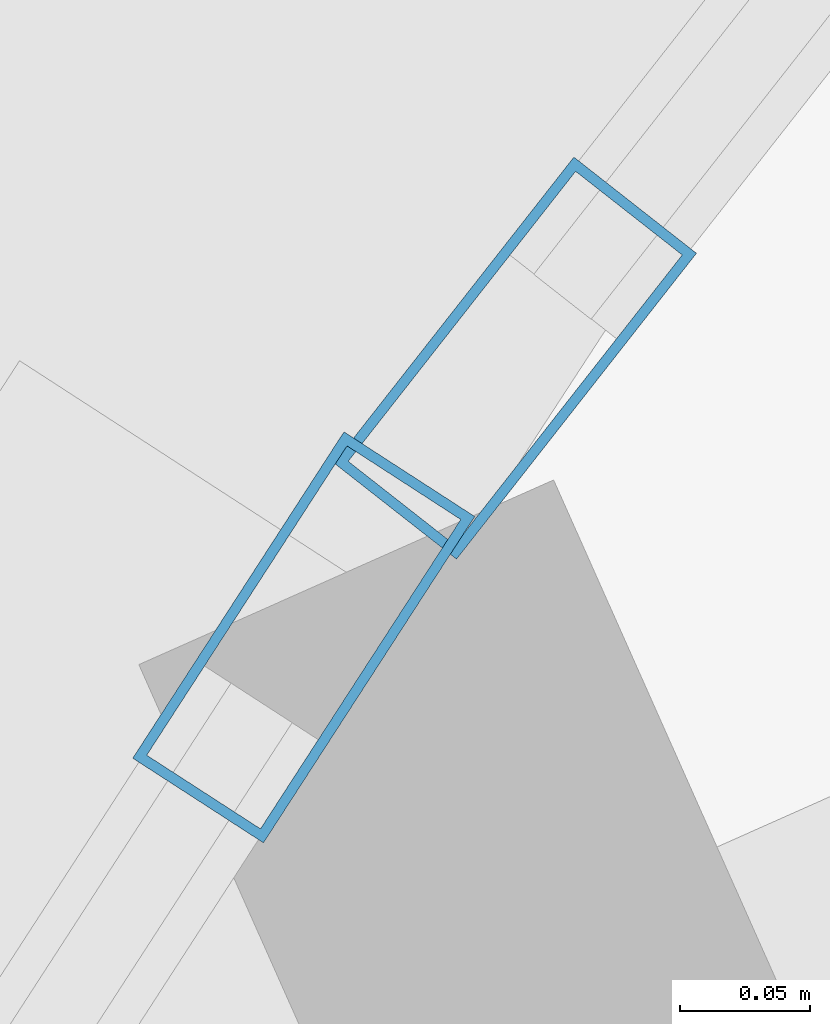
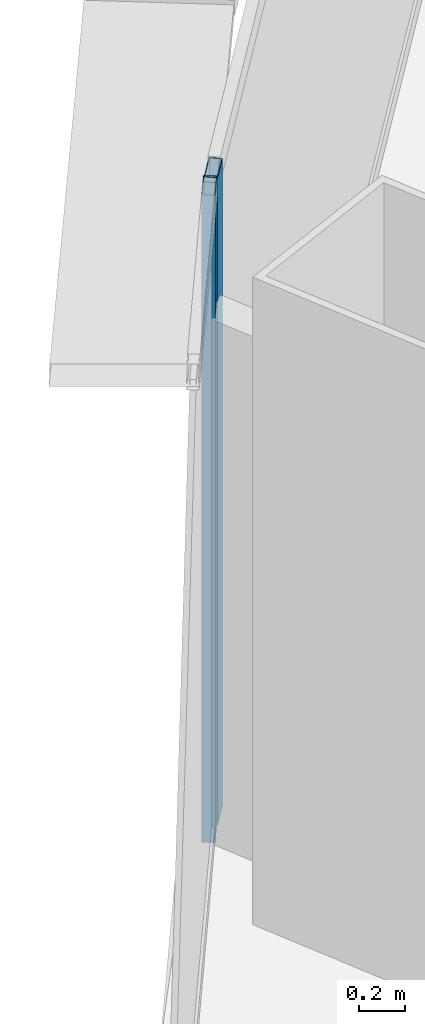
# One storey, part 18 of 39: 2 members, 2 elements without a shape of their own.
"""IFC4 building model written with IfcOpenShell, lengths in metres."""

from ifc_helpers import new_model, si_unit, direction, frame, origin, origin_2d, place, context, subcontext, project, spatial, hollow_rectangle, extrude, source, transform, mapped, material, layer, layer_set, material_profile, profile_set, type_object, element, aggregate, save


model = new_model("IFC4")

# Units and contexts
model_context = context("Model", 3, precision=1e-05, world=origin(), true_north=direction((0.0, 1.0)))
body_context = subcontext(model_context, "Body", "Model", "MODEL_VIEW")
ifc_project = project(units=[si_unit("LENGTHUNIT", "METRE"), si_unit("AREAUNIT", "SQUARE_METRE"), si_unit("VOLUMEUNIT", "CUBIC_METRE"), si_unit("PLANEANGLEUNIT", "RADIAN"), si_unit("MASSUNIT", "GRAM", prefix="KILO"), si_unit("THERMODYNAMICTEMPERATUREUNIT", "KELVIN"), si_unit("POWERUNIT", "WATT")], contexts=[model_context])

# Site, building, storey
site_placement = place(None, origin())
site = spatial("IfcSite", under=ifc_project, at=site_placement, CompositionType="ELEMENT")
building_placement = place(site_placement, origin())
building = spatial("IfcBuilding", under=site, at=building_placement, Name="Yunzhuo Pagoda Commons", CompositionType="ELEMENT")
storey_placement = place(building_placement, frame((0.0, 0.0, 162.949951171875)))
storey = spatial("IfcBuildingStorey", under=building, at=storey_placement, Name="L41", CompositionType="ELEMENT", Elevation=162.949951171875)

# Curtain wall, member
ifc_material = material(Name="Anodized aluminium 6063-T6", Category="aluminium")
ifc_layer = layer(ifc_material, 0.14990234375)
ifc_layer_set = layer_set([ifc_layer], Name="Anodized aluminium 6063-T6")
curtain_wall_type = type_object("IfcCurtainWallType", Name="CW-MID Mid-Zone Ribbon Curtain Wall", PredefinedType="NOTDEFINED", material=ifc_layer_set)
curtain_wall_1_placement = place(storey_placement, origin())
curtain_wall_1 = element("IfcCurtainWall", 1, at=curtain_wall_1_placement, inside=storey, type_object=curtain_wall_type, Name="L41 curtain wall CW-L41-F3B2", PredefinedType="NOTDEFINED")
ifc_material_profile = material_profile(ifc_material, hollow_rectangle(XDim=0.06005859375, YDim=0.14990234375, WallThickness=0.00390625, at=origin_2d()), Name="Anodized aluminium 6063-T6")
ifc_profile_set = profile_set([ifc_material_profile], Name="Anodized aluminium 6063-T6")
member_type = type_object("IfcMemberType", Name="CW-MID-M Mullion RHS 150x60x4", PredefinedType="MULLION", material=ifc_profile_set)
shared_shape = source(origin(), body_context, "Body", "SweptSolid", [
    extrude(hollow_rectangle(XDim=0.06005859375, YDim=0.14990234375, WallThickness=0.00390625, at=origin_2d()), origin(), (0.0, 0.0, 1.0), 3.420166015625),
])
member_1_placement = place(storey_placement, frame((32.150390625, 69.23681640625, 0.0), z_axis=(0.0, 0.0, 1.0), x_axis=(0.839466065689, -0.543412113002, 0.0)))
member_1 = element("IfcMember", 2, at=member_1_placement, type_object=member_type, Name="CW mullion 1", PredefinedType="MULLION", context=body_context, shape_type="MappedRepresentation", body=[
    mapped(shared_shape, transform((0.0, 0.0, 0.0), scale=1.0)),
])
aggregate(curtain_wall_1, [member_1])

curtain_wall_2_placement = place(storey_placement, origin())
curtain_wall_2 = element("IfcCurtainWall", 3, at=curtain_wall_2_placement, inside=storey, type_object=curtain_wall_type, Name="L41 curtain wall CW-L41-F3B1", PredefinedType="NOTDEFINED")
member_2_placement = place(storey_placement, frame((32.23193359375, 69.344482421875, 0.0), z_axis=(0.0, 0.0, 1.0), x_axis=(0.786855306064, -0.617137527071, 0.0)))
member_2 = element("IfcMember", 4, at=member_2_placement, type_object=member_type, Name="CW mullion 2", PredefinedType="MULLION", context=body_context, shape_type="MappedRepresentation", body=[
    mapped(shared_shape, transform((0.0, 0.0, 0.0), scale=1.0)),
])
aggregate(curtain_wall_2, [member_2])

save(model, "model.ifc")
